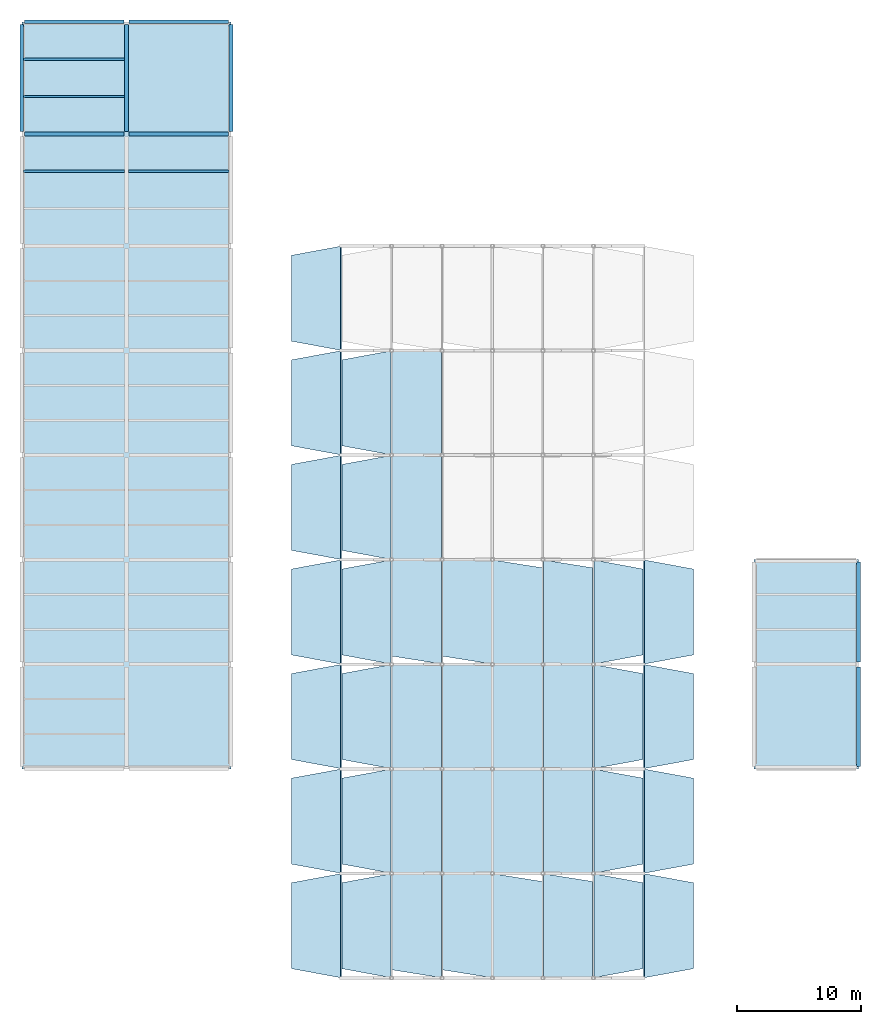
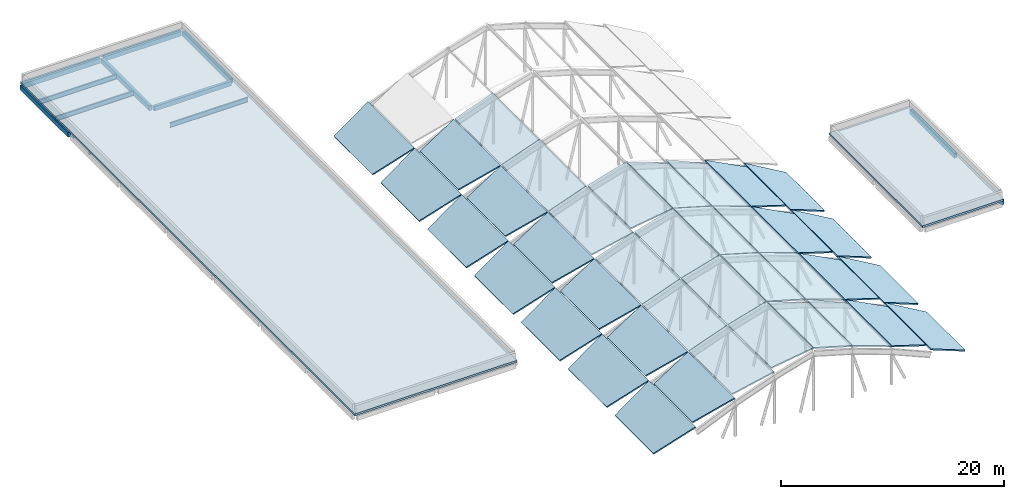
# One storey, part 12 of 22: 41 slabs, 13 beams, 3 elements without a shape of their own.
"""IFC4 building model written with IfcOpenShell, lengths in metres."""

from ifc_helpers import new_model, si_unit, direction, frame, origin, origin_2d, place, context, subcontext, project, spatial, polyline, rectangle, i_section, outline, extrude, material, layer, layer_set, material_profile, profile_set, type_object, element, aggregate, save


model = new_model("IFC4")

# Units and contexts
model_context = context("Model", 3, precision=1e-05, world=origin(), true_north=direction((0.0, 1.0)))
body_context = subcontext(model_context, "Body", "Model", "MODEL_VIEW")
ifc_project = project(units=[si_unit("LENGTHUNIT", "METRE"), si_unit("AREAUNIT", "SQUARE_METRE"), si_unit("VOLUMEUNIT", "CUBIC_METRE"), si_unit("PLANEANGLEUNIT", "RADIAN"), si_unit("MASSUNIT", "GRAM", prefix="KILO")], contexts=[model_context])

# Site, building, storey
site_placement = place(None, origin())
site = spatial("IfcSite", under=ifc_project, at=site_placement, CompositionType="ELEMENT")
building_placement = place(site_placement, origin())
building = spatial("IfcBuilding", under=site, at=building_placement, Name="Vireocrest Preparatory School", CompositionType="ELEMENT")
storey_placement = place(building_placement, frame((0.0, 0.0, 25.800048828125)))
storey = spatial("IfcBuildingStorey", under=building, at=storey_placement, Name="RF", CompositionType="ELEMENT", Elevation=25.800048828125)

# Beams
ifc_material_1 = material(Name="Structural steel ASTM A992 Grade 50", Category="steel")
ifc_material_profile_1 = material_profile(ifc_material_1, i_section(OverallWidth=0.166015625, OverallDepth=0.529052734375, WebThickness=0.009765625, FlangeThickness=0.013671875, FilletRadius=0.014892578125, at=origin_2d()), Name="W21X50")
ifc_profile_set_1 = profile_set([ifc_material_profile_1], Name="Structural steel ASTM A992 Grade 50")
beam_type_1 = type_object("IfcBeamType", Name="Pavilion Roof Joist W21X50", PredefinedType="JOIST", material=ifc_profile_set_1)
for number, where, z_axis, x_axis, name in (
    (1, (42.14990234375, 91.800048828125, -0.484619140625), (1.0, 0.0, 0.0), (0.0, 1.0, 0.0), "Secondary Joist SJ1 RF-1736"),
    (2, (42.14990234375, 97.800048828125, -0.484619140625), (1.0, 0.0, 0.0), (0.0, 1.0, 0.0), "Secondary Joist SJ1 RF-1737"),
    (3, (42.14990234375, 100.800048828125, -0.484619140625), (1.0, 0.0, 0.0), (0.0, 1.0, 0.0), "Secondary Joist SJ1 RF-1738"),
):
    element("IfcBeam", number, at=place(storey_placement, frame(where, z_axis=z_axis, x_axis=x_axis)), inside=storey, type_object=beam_type_1, Name=name, PredefinedType="JOIST", context=body_context, shape_type="SweptSolid", body=[
        extrude(i_section(OverallWidth=0.166015625, OverallDepth=0.529052734375, WebThickness=0.009765625, FlangeThickness=0.013671875, FilletRadius=0.014892578125, at=origin_2d()), origin(), (0.0, 0.0, 1.0), 8.10009765625),
    ])
beam_1_placement = place(storey_placement, frame((50.550048828125, 91.800048828125, -0.484619140625), z_axis=(1.0, 0.0, 0.0), x_axis=(0.0, 1.0, 0.0)))
element("IfcBeam", 4, at=beam_1_placement, inside=storey, type_object=beam_type_1, Name="Secondary Joist SJ1 RF-1748", PredefinedType="JOIST", context=body_context, shape_type="SweptSolid", body=[
    extrude(i_section(OverallWidth=0.166015625, OverallDepth=0.529052734375, WebThickness=0.009765625, FlangeThickness=0.013671875, FilletRadius=0.014892578125, at=origin_2d()), origin(), (0.0, 0.0, 1.0), 8.099853515625),
])
ifc_material_2 = material(Name="Concrete 40 MPa", Category="concrete")
ifc_material_profile_2 = material_profile(ifc_material_2, rectangle(XDim=0.300048828125, YDim=0.5, at=origin_2d()), Name="RC 300x500")
ifc_profile_set_2 = profile_set([ifc_material_profile_2], Name="Concrete 40 MPa")
beam_type_2 = type_object("IfcBeamType", Name="RC Roof Edge Beam 300x500", PredefinedType="BEAM", material=ifc_profile_set_2)
for number, where, z_axis, x_axis, name in (
    (5, (50.60009765625, 94.800048828125, -0.469970703125), (1.0, 0.0, 0.0), (0.0, 1.0, 0.0), "Primary Girder B01 RF-1697"),
    (6, (50.60009765625, 103.800048828125, -0.469970703125), (1.0, 0.0, 0.0), (0.0, 1.0, 0.0), "Primary Girder B01 RF-1699"),
):
    element("IfcBeam", number, at=place(storey_placement, frame(where, z_axis=z_axis, x_axis=x_axis)), inside=storey, type_object=beam_type_2, Name=name, PredefinedType="BEAM", context=body_context, shape_type="SweptSolid", body=[
        extrude(rectangle(XDim=0.300048828125, YDim=0.5, at=origin_2d()), origin(), (0.0, 0.0, 1.0), 8.0),
    ])
for number, where, z_axis, x_axis, name in (
    (7, (42.0, 95.0, -0.469970703125), (0.0, 1.0, 0.0), (-1.0, 0.0, 0.0), "Primary Girder B01 RF-1706"),
    (8, (58.800048828125, 95.0, -0.469970703125), (0.0, 1.0, 0.0), (-1.0, 0.0, 0.0), "Primary Girder B01 RF-1720"),
):
    element("IfcBeam", number, at=place(storey_placement, frame(where, z_axis=z_axis, x_axis=x_axis)), inside=storey, type_object=beam_type_2, Name=name, PredefinedType="BEAM", context=body_context, shape_type="SweptSolid", body=[
        extrude(rectangle(XDim=0.300048828125, YDim=0.5, at=origin_2d()), origin(), (0.0, 0.0, 1.0), 8.60009765625),
    ])
beam_2_placement = place(storey_placement, frame((109.199951171875, 52.39990234375, -0.469970703125), z_axis=(0.0, 1.0, 0.0), x_axis=(-1.0, 0.0, 0.0)))
element("IfcBeam", 9, at=beam_2_placement, inside=storey, type_object=beam_type_2, Name="Primary Girder B01 RF-1724", PredefinedType="BEAM", context=body_context, shape_type="SweptSolid", body=[
    extrude(rectangle(XDim=0.300048828125, YDim=0.5, at=origin_2d()), origin(), (0.0, 0.0, 1.0), 8.0),
])
ifc_material_profile_3 = material_profile(ifc_material_2, rectangle(XDim=0.300048828125, YDim=0.550048828125, at=origin_2d()), Name="RC 300x550")
ifc_profile_set_3 = profile_set([ifc_material_profile_3], Name="Concrete 40 MPa")
beam_type_3 = type_object("IfcBeamType", Name="RC Roof Girder 300x550", PredefinedType="BEAM", material=ifc_profile_set_3)
for number, where, z_axis, x_axis, name in (
    (10, (42.199951171875, 94.800048828125, -0.4951171875), (1.0, 0.0, 0.0), (0.0, 1.0, 0.0), "Primary Girder B02 RF-1696"),
    (11, (42.199951171875, 103.800048828125, -0.4951171875), (1.0, 0.0, 0.0), (0.0, 1.0, 0.0), "Primary Girder B02 RF-1698"),
):
    element("IfcBeam", number, at=place(storey_placement, frame(where, z_axis=z_axis, x_axis=x_axis)), inside=storey, type_object=beam_type_3, Name=name, PredefinedType="BEAM", context=body_context, shape_type="SweptSolid", body=[
        extrude(rectangle(XDim=0.300048828125, YDim=0.550048828125, at=origin_2d()), origin(), (0.0, 0.0, 1.0), 8.0),
    ])
beam_3_placement = place(storey_placement, frame((50.39990234375, 95.0, -0.4951171875), z_axis=(0.0, 1.0, 0.0), x_axis=(-1.0, 0.0, 0.0)))
element("IfcBeam", 12, at=beam_3_placement, inside=storey, type_object=beam_type_3, Name="Primary Girder B02 RF-1713", PredefinedType="BEAM", context=body_context, shape_type="SweptSolid", body=[
    extrude(rectangle(XDim=0.300048828125, YDim=0.550048828125, at=origin_2d()), origin(), (0.0, 0.0, 1.0), 8.60009765625),
])
beam_4_placement = place(storey_placement, frame((109.199951171875, 44.0, -0.4951171875), z_axis=(0.0, 1.0, 0.0), x_axis=(-1.0, 0.0, 0.0)))
element("IfcBeam", 13, at=beam_4_placement, inside=storey, type_object=beam_type_3, Name="Primary Girder B02 RF-1723", PredefinedType="BEAM", context=body_context, shape_type="SweptSolid", body=[
    extrude(rectangle(XDim=0.300048828125, YDim=0.550048828125, at=origin_2d()), origin(), (0.0, 0.0, 1.0), 8.0),
])

# Roof, slabs
ifc_layer_1 = layer(ifc_material_1, 0.159912109375)
ifc_layer_set_1 = layer_set([ifc_layer_1], Name="Structural steel ASTM A992 Grade 50")
roof_type = type_object("IfcRoofType", Name="Exposed Steel Barrel Vault Roof Assembly", PredefinedType="BARREL_ROOF", material=ifc_layer_set_1)
roof_1_placement = place(storey_placement, origin())
roof_1 = element("IfcRoof", 14, at=roof_1_placement, inside=storey, type_object=roof_type, Name="Central Court Arched Glass Canopy Roof (South Bays)", PredefinedType="BARREL_ROOF")
ifc_material_3 = material(Name="Tempered solar-control skylight glass", Category="glass")
ifc_layer_2 = layer(ifc_material_3, 0.139892578125)
ifc_layer_set_2 = layer_set([ifc_layer_2], Name="Tempered solar-control skylight glass")
slab_type_1 = type_object("IfcSlabType", Name="Central Court Tempered Safety Glass Canopy Roof Panel 140", PredefinedType="ROOF", material=ifc_layer_set_2)
slab_1_placement = place(storey_placement, frame((63.64501953125, 27.75, -2.176025390625), z_axis=(-0.446330647128, 0.0, 0.894868120694), x_axis=(0.882935578474, -0.162760627598, 0.440379089387)))
slab_1 = element("IfcSlab", 15, at=slab_1_placement, type_object=slab_type_1, Name="Canopy Tempered Safety Glass Roof Panel 1-1", PredefinedType="ROOF", context=body_context, shape_type="SweptSolid", body=[
    extrude(outline(polyline([(0.0, 0.0), (4.484994187622386, -5.551115123125783e-17), (3.1243375933341553, 8.248389401186875), (-1.1230324358324277, 6.807896187615896), (0.0, 0.0)])), origin(), (0.0, 0.0, -1.0), 0.139892578125),
])
slab_2_placement = place(storey_placement, frame((67.695068359375, 27.75, -0.1591796875), z_axis=(-0.394760021154, 0.0, 0.918784265047), x_axis=(0.905883115876, -0.166990783999, 0.389216981168)))
slab_2 = element("IfcSlab", 16, at=slab_2_placement, type_object=slab_type_1, Name="Canopy Tempered Safety Glass Roof Panel 1-2", PredefinedType="ROOF", context=body_context, shape_type="SweptSolid", body=[
    extrude(outline(polyline([(0.0, 0.0), (4.371381768904153, -8.326672684688674e-17), (2.9753616454403966, 8.242477897821521), (-1.1522201019021283, 6.803017065248286), (0.0, 0.0)])), origin(), (0.0, 0.0, -1.0), 0.139892578125),
])
slab_3_placement = place(storey_placement, frame((71.7451171875, 27.64990234375, 1.57763671875), z_axis=(-0.339171253598, 0.0, 0.940724646607), x_axis=(0.93036664337, -0.147986802706, 0.335436752801)))
slab_3 = element("IfcSlab", 17, at=slab_3_placement, type_object=slab_type_1, Name="Canopy Tempered Safety Glass Roof Panel 1-3", PredefinedType="ROOF", context=body_context, shape_type="SweptSolid", body=[
    extrude(outline(polyline([(0.0, 0.0), (4.256344491411078, 8.326672684688674e-17), (3.0191950533580707, 8.267815633474006), (-1.1439350945515543, 7.644868249140061), (0.0, 0.0)])), origin(), (0.0, 0.0, -1.0), 0.139892578125),
])
slab_4_placement = place(storey_placement, frame((75.794921875, 27.64990234375, 3.03466796875), z_axis=(-0.279681768916, 0.0, 0.960092760173), x_axis=(0.949089259272, -0.150964876012, 0.276476371767)))
slab_4 = element("IfcSlab", 18, at=slab_4_placement, type_object=slab_type_1, Name="Canopy Tempered Safety Glass Roof Panel 1-4", PredefinedType="ROOF", context=body_context, shape_type="SweptSolid", body=[
    extrude(outline(polyline([(0.0, 0.0), (4.172379888207972, 7.632783294297951e-17), (2.910334164473346, 8.264051952425952), (-1.1669555430432141, 7.641388146653537), (0.0, 0.0)])), origin(), (0.0, 0.0, -1.0), 0.139892578125),
])
slab_5_placement = place(storey_placement, frame((79.844970703125, 27.02001953125, 4.188232421875), z_axis=(0.279681768916, 0.0, 0.960092760173), x_axis=(0.960092760173, 0.0, -0.279681768916)))
slab_5 = element("IfcSlab", 19, at=slab_5_placement, type_object=slab_type_1, Name="Canopy Tempered Safety Glass Roof Panel 1-5", PredefinedType="ROOF", context=body_context, shape_type="SweptSolid", body=[
    extrude(outline(polyline([(0.0, 0.0), (4.124560773469033, 0.0), (4.124560773469033, 7.72998046875), (0.0, 8.35986328125), (0.0, 0.0)])), origin(), (0.0, 0.0, -1.0), 0.139892578125),
])
slab_6_placement = place(storey_placement, frame((83.89501953125, 27.02001953125, 3.00537109375), z_axis=(0.339171253598, 0.0, 0.940724646607), x_axis=(0.940724646607, 0.0, -0.339171253598)))
slab_6 = element("IfcSlab", 20, at=slab_6_placement, type_object=slab_type_1, Name="Canopy Tempered Safety Glass Roof Panel 1-6", PredefinedType="ROOF", context=body_context, shape_type="SweptSolid", body=[
    extrude(outline(polyline([(0.0, 0.0), (4.209479311278596, 0.0), (4.209479311278596, 7.729980468750002), (0.0, 8.359863281250002), (0.0, 0.0)])), origin(), (0.0, 0.0, -1.0), 0.139892578125),
])
slab_7_placement = place(storey_placement, frame((87.945068359375, 27.02001953125, 1.542236328125), z_axis=(0.394760021154, 0.0, 0.918784265047), x_axis=(0.905883115876, 0.166990783999, -0.389216981168)))
slab_7 = element("IfcSlab", 21, at=slab_7_placement, type_object=slab_type_1, Name="Canopy Tempered Safety Glass Roof Panel 1-7", PredefinedType="ROOF", context=body_context, shape_type="SweptSolid", body=[
    extrude(outline(polyline([(0.0, 0.0), (4.371381768904153, 8.326672684688674e-17), (5.5236018708062815, 6.803017065248287), (1.3960201234637561, 8.242477897821521), (0.0, 0.0)])), origin(), (0.0, 0.0, -1.0), 0.139892578125),
])
slab_8_placement = place(storey_placement, frame((91.9951171875, 27.02001953125, -0.200927734375), z_axis=(0.446330647128, 0.0, 0.894868120694), x_axis=(0.882935578474, 0.162760627598, -0.440379089387)))
slab_8 = element("IfcSlab", 22, at=slab_8_placement, type_object=slab_type_1, Name="Canopy Tempered Safety Glass Roof Panel 1-8", PredefinedType="ROOF", context=body_context, shape_type="SweptSolid", body=[
    extrude(outline(polyline([(0.0, 0.0), (4.484994187622386, 5.551115123125783e-17), (5.608026623454815, 6.807896187615895), (1.3606565942882312, 8.248389401186875), (0.0, 0.0)])), origin(), (0.0, 0.0, -1.0), 0.139892578125),
])
slab_9_placement = place(storey_placement, frame((63.64501953125, 36.14990234375, -2.176025390625), z_axis=(-0.446330647128, 0.0, 0.894868120694), x_axis=(0.882935578474, -0.162760627598, 0.440379089387)))
slab_9 = element("IfcSlab", 23, at=slab_9_placement, type_object=slab_type_1, Name="Canopy Tempered Safety Glass Roof Panel 2-1", PredefinedType="ROOF", context=body_context, shape_type="SweptSolid", body=[
    extrude(outline(polyline([(0.0, 0.0), (4.484994187622386, -5.551115123125783e-17), (3.1242978568528086, 8.248630286339646), (-1.1230721723137747, 6.808137072768665), (0.0, 0.0)])), origin(), (0.0, 0.0, -1.0), 0.139892578125),
])
slab_10_placement = place(storey_placement, frame((67.695068359375, 36.14990234375, -0.1591796875), z_axis=(-0.394760021154, 0.0, 0.918784265047), x_axis=(0.905883115876, -0.166990783999, 0.389216981168)))
slab_10 = element("IfcSlab", 24, at=slab_10_placement, type_object=slab_type_1, Name="Canopy Tempered Safety Glass Roof Panel 2-2", PredefinedType="ROOF", context=body_context, shape_type="SweptSolid", body=[
    extrude(outline(polyline([(0.0, 0.0), (4.371381768904153, 0.0), (2.975320876206022, 8.242718610335329), (-1.1522608711365032, 6.803257777762094), (0.0, 0.0)])), origin(), (0.0, 0.0, -1.0), 0.139892578125),
])
slab_11_placement = place(storey_placement, frame((71.7451171875, 35.419921875, 1.57763671875), z_axis=(-0.339171253598, 0.0, 0.940724646607), x_axis=(0.940724646607, 0.0, 0.339171253598)))
slab_11 = element("IfcSlab", 25, at=slab_11_placement, type_object=slab_type_1, Name="Canopy Tempered Safety Glass Roof Panel 2-3", PredefinedType="ROOF", context=body_context, shape_type="SweptSolid", body=[
    extrude(outline(polyline([(0.0, 0.0), (4.209479311278596, 0.0), (4.209479311278596, 8.360107421875), (0.0, 8.360107421875), (0.0, 0.0)])), origin(), (0.0, 0.0, -1.0), 0.139892578125),
])
slab_12_placement = place(storey_placement, frame((75.794921875, 35.419921875, 3.03466796875), z_axis=(-0.279681768916, 0.0, 0.960092760173), x_axis=(0.960092760173, 0.0, 0.279681768916)))
slab_12 = element("IfcSlab", 26, at=slab_12_placement, type_object=slab_type_1, Name="Canopy Tempered Safety Glass Roof Panel 2-4", PredefinedType="ROOF", context=body_context, shape_type="SweptSolid", body=[
    extrude(outline(polyline([(0.0, 0.0), (4.124560773469033, 0.0), (4.124560773469033, 8.360107421875), (0.0, 8.360107421875), (0.0, 0.0)])), origin(), (0.0, 0.0, -1.0), 0.139892578125),
])
slab_13_placement = place(storey_placement, frame((79.844970703125, 35.419921875, 4.188232421875), z_axis=(0.279681768916, 0.0, 0.960092760173), x_axis=(0.960092760173, 0.0, -0.279681768916)))
slab_13 = element("IfcSlab", 27, at=slab_13_placement, type_object=slab_type_1, Name="Canopy Tempered Safety Glass Roof Panel 2-5", PredefinedType="ROOF", context=body_context, shape_type="SweptSolid", body=[
    extrude(outline(polyline([(0.0, 0.0), (4.124560773469033, 0.0), (4.124560773469033, 8.360107421875), (0.0, 8.360107421875), (0.0, 0.0)])), origin(), (0.0, 0.0, -1.0), 0.139892578125),
])
slab_14_placement = place(storey_placement, frame((83.89501953125, 35.419921875, 3.00537109375), z_axis=(0.339171253598, 0.0, 0.940724646607), x_axis=(0.940724646607, 0.0, -0.339171253598)))
slab_14 = element("IfcSlab", 28, at=slab_14_placement, type_object=slab_type_1, Name="Canopy Tempered Safety Glass Roof Panel 2-6", PredefinedType="ROOF", context=body_context, shape_type="SweptSolid", body=[
    extrude(outline(polyline([(0.0, 0.0), (4.209479311278596, 0.0), (4.209479311278596, 8.360107421875), (0.0, 8.360107421875), (0.0, 0.0)])), origin(), (0.0, 0.0, -1.0), 0.139892578125),
])
slab_15_placement = place(storey_placement, frame((87.945068359375, 35.419921875, 1.542236328125), z_axis=(0.394760021154, 0.0, 0.918784265047), x_axis=(0.905883115876, 0.166990783999, -0.389216981168)))
slab_15 = element("IfcSlab", 29, at=slab_15_placement, type_object=slab_type_1, Name="Canopy Tempered Safety Glass Roof Panel 2-7", PredefinedType="ROOF", context=body_context, shape_type="SweptSolid", body=[
    extrude(outline(polyline([(0.0, 0.0), (4.371381768904153, 0.0), (5.523642640040657, 6.803257777762094), (1.396060892698131, 8.242718610335329), (0.0, 0.0)])), origin(), (0.0, 0.0, -1.0), 0.139892578125),
])
slab_16_placement = place(storey_placement, frame((91.9951171875, 35.419921875, -0.200927734375), z_axis=(0.446330647128, 0.0, 0.894868120694), x_axis=(0.882935578474, 0.162760627598, -0.440379089387)))
slab_16 = element("IfcSlab", 30, at=slab_16_placement, type_object=slab_type_1, Name="Canopy Tempered Safety Glass Roof Panel 2-8", PredefinedType="ROOF", context=body_context, shape_type="SweptSolid", body=[
    extrude(outline(polyline([(0.0, 0.0), (4.484994187622386, 5.551115123125783e-17), (5.608066359936162, 6.808137072768665), (1.3606963307695783, 8.248630286339646), (0.0, 0.0)])), origin(), (0.0, 0.0, -1.0), 0.139892578125),
])
aggregate(roof_1, [slab_1, slab_2, slab_3, slab_4, slab_5, slab_6, slab_7, slab_8, slab_9, slab_10, slab_11, slab_12, slab_13, slab_14, slab_15, slab_16])

roof_2_placement = place(storey_placement, origin())
roof_2 = element("IfcRoof", 31, at=roof_2_placement, inside=storey, type_object=roof_type, Name="Central Court Arched Glass Canopy Roof (Centre Bays)", PredefinedType="BARREL_ROOF")
slab_17_placement = place(storey_placement, frame((63.64501953125, 44.550048828125, -2.176025390625), z_axis=(-0.446330647128, 0.0, 0.894868120694), x_axis=(0.882935578474, -0.162760627598, 0.440379089387)))
slab_17 = element("IfcSlab", 32, at=slab_17_placement, type_object=slab_type_1, Name="Canopy Tempered Safety Glass Roof Panel 3-1", PredefinedType="ROOF", context=body_context, shape_type="SweptSolid", body=[
    extrude(outline(polyline([(0.0, 0.0), (4.484994187622386, -5.551115123125783e-17), (3.1243375933341553, 8.248389401186875), (-1.1230324358324277, 6.807896187615896), (0.0, 0.0)])), origin(), (0.0, 0.0, -1.0), 0.139892578125),
])
slab_18_placement = place(storey_placement, frame((67.695068359375, 44.550048828125, -0.1591796875), z_axis=(-0.394760021154, 0.0, 0.918784265047), x_axis=(0.905883115876, -0.166990783999, 0.389216981168)))
slab_18 = element("IfcSlab", 33, at=slab_18_placement, type_object=slab_type_1, Name="Canopy Tempered Safety Glass Roof Panel 3-2", PredefinedType="ROOF", context=body_context, shape_type="SweptSolid", body=[
    extrude(outline(polyline([(0.0, 0.0), (4.371381768904153, -8.326672684688674e-17), (2.9753616454403966, 8.242477897821521), (-1.1522201019021283, 6.803017065248286), (0.0, 0.0)])), origin(), (0.0, 0.0, -1.0), 0.139892578125),
])
slab_19_placement = place(storey_placement, frame((71.7451171875, 43.820068359375, 1.57763671875), z_axis=(-0.339171253598, 0.0, 0.940724646607), x_axis=(0.940724646607, 0.0, 0.339171253598)))
slab_19 = element("IfcSlab", 34, at=slab_19_placement, type_object=slab_type_1, Name="Canopy Tempered Safety Glass Roof Panel 3-3", PredefinedType="ROOF", context=body_context, shape_type="SweptSolid", body=[
    extrude(outline(polyline([(0.0, 0.0), (4.209479311278596, 0.0), (4.209479311278596, 8.35986328125), (0.0, 8.35986328125), (0.0, 0.0)])), origin(), (0.0, 0.0, -1.0), 0.139892578125),
])
slab_20_placement = place(storey_placement, frame((75.794921875, 43.820068359375, 3.03466796875), z_axis=(-0.279681768916, 0.0, 0.960092760173), x_axis=(0.960092760173, 0.0, 0.279681768916)))
slab_20 = element("IfcSlab", 35, at=slab_20_placement, type_object=slab_type_1, Name="Canopy Tempered Safety Glass Roof Panel 3-4", PredefinedType="ROOF", context=body_context, shape_type="SweptSolid", body=[
    extrude(outline(polyline([(0.0, 0.0), (4.124560773469033, 0.0), (4.124560773469033, 8.35986328125), (0.0, 8.35986328125), (0.0, 0.0)])), origin(), (0.0, 0.0, -1.0), 0.139892578125),
])
slab_21_placement = place(storey_placement, frame((79.844970703125, 43.820068359375, 4.188232421875), z_axis=(0.279681768916, 0.0, 0.960092760173), x_axis=(0.960092760173, 0.0, -0.279681768916)))
slab_21 = element("IfcSlab", 36, at=slab_21_placement, type_object=slab_type_1, Name="Canopy Tempered Safety Glass Roof Panel 3-5", PredefinedType="ROOF", context=body_context, shape_type="SweptSolid", body=[
    extrude(outline(polyline([(0.0, 0.0), (4.124560773469033, 0.0), (4.124560773469033, 8.35986328125), (0.0, 8.35986328125), (0.0, 0.0)])), origin(), (0.0, 0.0, -1.0), 0.139892578125),
])
slab_22_placement = place(storey_placement, frame((83.89501953125, 43.820068359375, 3.00537109375), z_axis=(0.339171253598, 0.0, 0.940724646607), x_axis=(0.940724646607, 0.0, -0.339171253598)))
slab_22 = element("IfcSlab", 37, at=slab_22_placement, type_object=slab_type_1, Name="Canopy Tempered Safety Glass Roof Panel 3-6", PredefinedType="ROOF", context=body_context, shape_type="SweptSolid", body=[
    extrude(outline(polyline([(0.0, 0.0), (4.209479311278596, 0.0), (4.209479311278596, 8.35986328125), (0.0, 8.35986328125), (0.0, 0.0)])), origin(), (0.0, 0.0, -1.0), 0.139892578125),
])
slab_23_placement = place(storey_placement, frame((87.945068359375, 43.820068359375, 1.542236328125), z_axis=(0.394760021154, 0.0, 0.918784265047), x_axis=(0.905883115876, 0.166990783999, -0.389216981168)))
slab_23 = element("IfcSlab", 38, at=slab_23_placement, type_object=slab_type_1, Name="Canopy Tempered Safety Glass Roof Panel 3-7", PredefinedType="ROOF", context=body_context, shape_type="SweptSolid", body=[
    extrude(outline(polyline([(0.0, 0.0), (4.371381768904153, 8.326672684688674e-17), (5.5236018708062815, 6.803017065248287), (1.3960201234637561, 8.242477897821521), (0.0, 0.0)])), origin(), (0.0, 0.0, -1.0), 0.139892578125),
])
slab_24_placement = place(storey_placement, frame((91.9951171875, 43.820068359375, -0.200927734375), z_axis=(0.446330647128, 0.0, 0.894868120694), x_axis=(0.882935578474, 0.162760627598, -0.440379089387)))
slab_24 = element("IfcSlab", 39, at=slab_24_placement, type_object=slab_type_1, Name="Canopy Tempered Safety Glass Roof Panel 3-8", PredefinedType="ROOF", context=body_context, shape_type="SweptSolid", body=[
    extrude(outline(polyline([(0.0, 0.0), (4.484994187622386, 5.551115123125783e-17), (5.608026623454815, 6.807896187615895), (1.3606565942882312, 8.248389401186875), (0.0, 0.0)])), origin(), (0.0, 0.0, -1.0), 0.139892578125),
])
slab_25_placement = place(storey_placement, frame((63.64501953125, 52.949951171875, -2.176025390625), z_axis=(-0.446330647128, 0.0, 0.894868120694), x_axis=(0.882935578474, -0.162760627598, 0.440379089387)))
slab_25 = element("IfcSlab", 40, at=slab_25_placement, type_object=slab_type_1, Name="Canopy Tempered Safety Glass Roof Panel 4-1", PredefinedType="ROOF", context=body_context, shape_type="SweptSolid", body=[
    extrude(outline(polyline([(0.0, 0.0), (4.484994187622386, -5.551115123125783e-17), (3.1242978568528086, 8.248630286339646), (-1.1230721723137747, 6.808137072768665), (0.0, 0.0)])), origin(), (0.0, 0.0, -1.0), 0.139892578125),
])
slab_26_placement = place(storey_placement, frame((67.695068359375, 52.949951171875, -0.1591796875), z_axis=(-0.394760021154, 0.0, 0.918784265047), x_axis=(0.905883115876, -0.166990783999, 0.389216981168)))
slab_26 = element("IfcSlab", 41, at=slab_26_placement, type_object=slab_type_1, Name="Canopy Tempered Safety Glass Roof Panel 4-2", PredefinedType="ROOF", context=body_context, shape_type="SweptSolid", body=[
    extrude(outline(polyline([(0.0, 0.0), (4.371381768904153, 0.0), (2.975320876206022, 8.242718610335329), (-1.1522608711365032, 6.803257777762094), (0.0, 0.0)])), origin(), (0.0, 0.0, -1.0), 0.139892578125),
])
slab_27_placement = place(storey_placement, frame((71.7451171875, 52.85009765625, 1.57763671875), z_axis=(-0.339171253598, 0.0, 0.940724646607), x_axis=(0.930358744608, -0.148042905045, 0.335433904961)))
slab_27 = element("IfcSlab", 42, at=slab_27_placement, type_object=slab_type_1, Name="Canopy Tempered Safety Glass Roof Panel 4-3", PredefinedType="ROOF", context=body_context, shape_type="SweptSolid", body=[
    extrude(outline(polyline([(0.0, 0.0), (4.256380627850042, 1.3877787807814457e-17), (3.0187260386257937, 8.267986890595656), (-1.1443687645363478, 7.644803344626337), (0.0, 0.0)])), origin(), (0.0, 0.0, -1.0), 0.139892578125),
])
slab_28_placement = place(storey_placement, frame((75.794921875, 52.85009765625, 3.03466796875), z_axis=(-0.279681768916, 0.0, 0.960092760173), x_axis=(0.949080873992, -0.151022055226, 0.276473929076)))
slab_28 = element("IfcSlab", 43, at=slab_28_placement, type_object=slab_type_1, Name="Canopy Tempered Safety Glass Roof Panel 4-4", PredefinedType="ROOF", context=body_context, shape_type="SweptSolid", body=[
    extrude(outline(polyline([(0.0, 0.0), (4.172416751847071, -6.245004513516506e-17), (2.909856147082037, 8.264220279287384), (-1.1673975372505472, 7.641320634371905), (0.0, 0.0)])), origin(), (0.0, 0.0, -1.0), 0.139892578125),
])
slab_29_placement = place(storey_placement, frame((79.844970703125, 52.219970703125, 4.188232421875), z_axis=(0.279681768916, 0.0, 0.960092760173), x_axis=(0.960092760173, 0.0, -0.279681768916)))
slab_29 = element("IfcSlab", 44, at=slab_29_placement, type_object=slab_type_1, Name="Canopy Tempered Safety Glass Roof Panel 4-5", PredefinedType="ROOF", context=body_context, shape_type="SweptSolid", body=[
    extrude(outline(polyline([(0.0, 0.0), (4.124560773469033, 0.0), (4.124560773469033, 7.72998046875), (0.0, 8.360107421875), (0.0, 0.0)])), origin(), (0.0, 0.0, -1.0), 0.139892578125),
])
slab_30_placement = place(storey_placement, frame((83.89501953125, 52.219970703125, 3.00537109375), z_axis=(0.339171253598, 0.0, 0.940724646607), x_axis=(0.940724646607, 0.0, -0.339171253598)))
slab_30 = element("IfcSlab", 45, at=slab_30_placement, type_object=slab_type_1, Name="Canopy Tempered Safety Glass Roof Panel 4-6", PredefinedType="ROOF", context=body_context, shape_type="SweptSolid", body=[
    extrude(outline(polyline([(0.0, 0.0), (4.209479311278596, 0.0), (4.209479311278596, 7.72998046875), (0.0, 8.360107421875), (0.0, 0.0)])), origin(), (0.0, 0.0, -1.0), 0.139892578125),
])
slab_31_placement = place(storey_placement, frame((87.945068359375, 52.219970703125, 1.542236328125), z_axis=(0.394760021154, 0.0, 0.918784265047), x_axis=(0.905883115876, 0.166990783999, -0.389216981168)))
slab_31 = element("IfcSlab", 46, at=slab_31_placement, type_object=slab_type_1, Name="Canopy Tempered Safety Glass Roof Panel 4-7", PredefinedType="ROOF", context=body_context, shape_type="SweptSolid", body=[
    extrude(outline(polyline([(0.0, 0.0), (4.371381768904153, 0.0), (5.523642640040657, 6.803257777762094), (1.396060892698131, 8.242718610335329), (0.0, 0.0)])), origin(), (0.0, 0.0, -1.0), 0.139892578125),
])
slab_32_placement = place(storey_placement, frame((91.9951171875, 52.219970703125, -0.200927734375), z_axis=(0.446330647128, 0.0, 0.894868120694), x_axis=(0.882935578474, 0.162760627598, -0.440379089387)))
slab_32 = element("IfcSlab", 47, at=slab_32_placement, type_object=slab_type_1, Name="Canopy Tempered Safety Glass Roof Panel 4-8", PredefinedType="ROOF", context=body_context, shape_type="SweptSolid", body=[
    extrude(outline(polyline([(0.0, 0.0), (4.484994187622386, 5.551115123125783e-17), (5.608066359936162, 6.808137072768665), (1.3606963307695783, 8.248630286339646), (0.0, 0.0)])), origin(), (0.0, 0.0, -1.0), 0.139892578125),
])
slab_33_placement = place(storey_placement, frame((63.64501953125, 61.35009765625, -2.176025390625), z_axis=(-0.446330647128, 0.0, 0.894868120694), x_axis=(0.882935578474, -0.162760627598, 0.440379089387)))
slab_33 = element("IfcSlab", 48, at=slab_33_placement, type_object=slab_type_1, Name="Canopy Tempered Safety Glass Roof Panel 5-1", PredefinedType="ROOF", context=body_context, shape_type="SweptSolid", body=[
    extrude(outline(polyline([(0.0, 0.0), (4.484994187622386, -5.551115123125783e-17), (3.1243375933341553, 8.248389401186875), (-1.1230324358324277, 6.807896187615896), (0.0, 0.0)])), origin(), (0.0, 0.0, -1.0), 0.139892578125),
])
slab_34_placement = place(storey_placement, frame((67.695068359375, 61.35009765625, -0.1591796875), z_axis=(-0.394760021154, 0.0, 0.918784265047), x_axis=(0.905883115876, -0.166990783999, 0.389216981168)))
slab_34 = element("IfcSlab", 49, at=slab_34_placement, type_object=slab_type_1, Name="Canopy Tempered Safety Glass Roof Panel 5-2", PredefinedType="ROOF", context=body_context, shape_type="SweptSolid", body=[
    extrude(outline(polyline([(0.0, 0.0), (4.371381768904153, -8.326672684688674e-17), (2.9753616454403966, 8.242477897821521), (-1.1522201019021283, 6.803017065248286), (0.0, 0.0)])), origin(), (0.0, 0.0, -1.0), 0.139892578125),
])
slab_35_placement = place(storey_placement, frame((71.7451171875, 60.6201171875, 1.57763671875), z_axis=(-0.339171253598, 0.0, 0.940724646607), x_axis=(0.940724646607, 0.0, 0.339171253598)))
slab_35 = element("IfcSlab", 50, at=slab_35_placement, type_object=slab_type_1, Name="Canopy Tempered Safety Glass Roof Panel 5-3", PredefinedType="ROOF", context=body_context, shape_type="SweptSolid", body=[
    extrude(outline(polyline([(0.0, 0.0), (4.209479311278596, 0.0), (4.209479311278596, 8.35986328125), (0.0, 8.35986328125), (0.0, 0.0)])), origin(), (0.0, 0.0, -1.0), 0.139892578125),
])
aggregate(roof_2, [slab_17, slab_18, slab_19, slab_20, slab_21, slab_22, slab_23, slab_24, slab_25, slab_26, slab_27, slab_28, slab_29, slab_30, slab_31, slab_32, slab_33, slab_34, slab_35])

roof_3_placement = place(storey_placement, origin())
roof_3 = element("IfcRoof", 51, at=roof_3_placement, inside=storey, type_object=roof_type, Name="Central Court Arched Glass Canopy Roof (North Bays)", PredefinedType="BARREL_ROOF")
slab_36_placement = place(storey_placement, frame((63.64501953125, 69.75, -2.176025390625), z_axis=(-0.446330647128, 0.0, 0.894868120694), x_axis=(0.882935578474, -0.162760627598, 0.440379089387)))
slab_36 = element("IfcSlab", 52, at=slab_36_placement, type_object=slab_type_1, Name="Canopy Tempered Safety Glass Roof Panel 6-1", PredefinedType="ROOF", context=body_context, shape_type="SweptSolid", body=[
    extrude(outline(polyline([(0.0, 0.0), (4.484994187622386, -5.551115123125783e-17), (3.1243375933341553, 8.248389401186875), (-1.1230324358324277, 6.807896187615896), (0.0, 0.0)])), origin(), (0.0, 0.0, -1.0), 0.139892578125),
])
slab_37_placement = place(storey_placement, frame((67.695068359375, 69.75, -0.1591796875), z_axis=(-0.394760021154, 0.0, 0.918784265047), x_axis=(0.905883115876, -0.166990783999, 0.389216981168)))
slab_37 = element("IfcSlab", 53, at=slab_37_placement, type_object=slab_type_1, Name="Canopy Tempered Safety Glass Roof Panel 6-2", PredefinedType="ROOF", context=body_context, shape_type="SweptSolid", body=[
    extrude(outline(polyline([(0.0, 0.0), (4.371381768904153, -8.326672684688674e-17), (2.9753616454403966, 8.242477897821521), (-1.1522201019021283, 6.803017065248286), (0.0, 0.0)])), origin(), (0.0, 0.0, -1.0), 0.139892578125),
])
slab_38_placement = place(storey_placement, frame((71.7451171875, 69.02001953125, 1.57763671875), z_axis=(-0.339171253598, 0.0, 0.940724646607), x_axis=(0.940724646607, 0.0, 0.339171253598)))
slab_38 = element("IfcSlab", 54, at=slab_38_placement, type_object=slab_type_1, Name="Canopy Tempered Safety Glass Roof Panel 6-3", PredefinedType="ROOF", context=body_context, shape_type="SweptSolid", body=[
    extrude(outline(polyline([(0.0, 0.0), (4.209479311278596, 0.0), (4.209479311278596, 8.35986328125), (0.0, 8.35986328125), (0.0, 0.0)])), origin(), (0.0, 0.0, -1.0), 0.139892578125),
])
slab_39_placement = place(storey_placement, frame((63.64501953125, 78.14990234375, -2.176025390625), z_axis=(-0.446330647128, 0.0, 0.894868120694), x_axis=(0.882935578474, -0.162760627598, 0.440379089387)))
slab_39 = element("IfcSlab", 55, at=slab_39_placement, type_object=slab_type_1, Name="Canopy Tempered Safety Glass Roof Panel 7-1", PredefinedType="ROOF", context=body_context, shape_type="SweptSolid", body=[
    extrude(outline(polyline([(0.0, 0.0), (4.484994187622386, -5.551115123125783e-17), (3.1242978568528086, 8.248630286339646), (-1.1230721723137747, 6.808137072768665), (0.0, 0.0)])), origin(), (0.0, 0.0, -1.0), 0.139892578125),
])
aggregate(roof_3, [slab_36, slab_37, slab_38, slab_39])

# Slabs
ifc_layer_3 = layer(ifc_material_2, 0.219970703125)
ifc_layer_set_3 = layer_set([ifc_layer_3], Name="Concrete 40 MPa")
slab_type_2 = type_object("IfcSlabType", Name="Insulated Flat Concrete Roof Slab 220", PredefinedType="ROOF", material=ifc_layer_set_3)
slab_40_placement = place(storey_placement, frame((0.0, 0.0, -0.219970703125)))
element("IfcSlab", 56, at=slab_40_placement, inside=storey, type_object=slab_type_2, Name="Slab RF_WEST_BAR_ROOF", PredefinedType="ROOF", context=body_context, shape_type="SweptSolid", body=[
    extrude(outline(polyline([(42.0, 43.800048828125), (58.800048828125, 43.800048828125), (58.800048828125, 103.800048828125), (42.0, 103.800048828125), (42.0, 43.800048828125)])), origin(), (0.0, 0.0, 1.0), 0.219970703125),
])
slab_41_placement = place(storey_placement, frame((0.0, 0.0, -0.219970703125)))
element("IfcSlab", 57, at=slab_41_placement, inside=storey, type_object=slab_type_2, Name="Slab RF_EAST_CORE_ROOF", PredefinedType="ROOF", context=body_context, shape_type="SweptSolid", body=[
    extrude(outline(polyline([(100.800048828125, 43.800048828125), (109.199951171875, 43.800048828125), (109.199951171875, 60.60009765625), (100.800048828125, 60.60009765625), (100.800048828125, 43.800048828125)])), origin(), (0.0, 0.0, 1.0), 0.219970703125),
])

save(model, "model.ifc")
